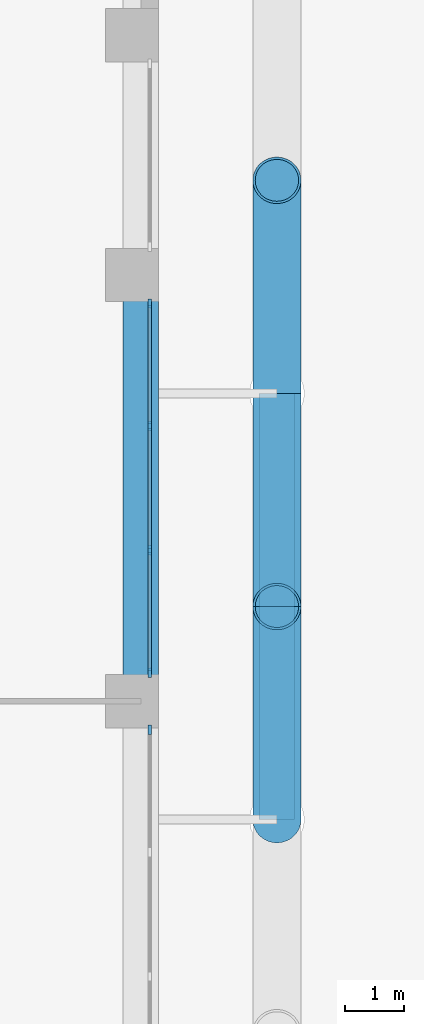
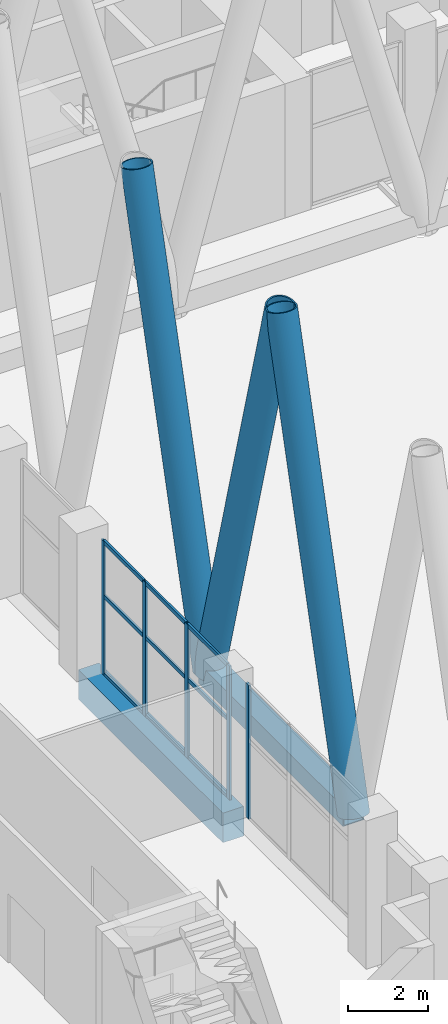
# One storey, part 3 of 31: 18 members, 1 beam, 2 elements without a shape of their own.
"""IFC4 building model written with IfcOpenShell, lengths in metres."""

from ifc_helpers import new_model, si_unit, direction, frame, origin, origin_2d, place, context, subcontext, project, spatial, rectangle, hollow_rectangle, hollow_circle, extrude, material, material_profile, profile_set, type_object, element, aggregate, save


model = new_model("IFC4")

# Units and contexts
model_context = context("Model", 3, precision=1e-05, world=origin(), true_north=direction((0.0, 1.0)))
body_context = subcontext(model_context, "Body", "Model", "MODEL_VIEW")
ifc_project = project(units=[si_unit("LENGTHUNIT", "METRE"), si_unit("AREAUNIT", "SQUARE_METRE"), si_unit("VOLUMEUNIT", "CUBIC_METRE"), si_unit("PLANEANGLEUNIT", "RADIAN"), si_unit("MASSUNIT", "GRAM", prefix="KILO")], contexts=[model_context])

# Site, building, storey
site_placement = place(None, origin())
site = spatial("IfcSite", under=ifc_project, at=site_placement, CompositionType="ELEMENT")
building_placement = place(site_placement, origin())
building = spatial("IfcBuilding", under=site, at=building_placement, Name="Fustian Cross Tower", CompositionType="ELEMENT")
storey_placement = place(building_placement, frame((0.0, 0.0, 7.199951171875)))
storey = spatial("IfcBuildingStorey", under=building, at=storey_placement, Name="L01", CompositionType="ELEMENT", Elevation=7.199951171875)

# Curtain wall, member
ifc_material_1 = material(Name="Glass", Category="glass")
curtain_wall_type = type_object("IfcCurtainWallType", Name="CW4 CURTAIN WALL", PredefinedType="NOTDEFINED", material=ifc_material_1)
curtain_wall_1_placement = place(storey_placement, origin())
curtain_wall_1 = element("IfcCurtainWall", 1, at=curtain_wall_1_placement, inside=storey, type_object=curtain_wall_type, Name="Curtain wall CW4", PredefinedType="NOTDEFINED")
ifc_material_2 = material(Name="Aluminium alloy 6063", Category="aluminium")
ifc_material_profile_1 = material_profile(ifc_material_2, rectangle(XDim=0.06005859375, YDim=0.159912109375, at=origin_2d()), Name="CW4 MULLION 60x160")
ifc_profile_set_1 = profile_set([ifc_material_profile_1], Name="Aluminium alloy 6063")
member_type_1 = type_object("IfcMemberType", Name="CW4 MULLION 60x160", PredefinedType="MULLION", material=ifc_profile_set_1)
member_1_placement = place(storey_placement, frame((7.050048828125, -29.280029296875, 0.0), z_axis=(0.0, 0.0, 1.0), x_axis=(-1.0, 0.0, 0.0)))
member_1 = element("IfcMember", 2, at=member_1_placement, type_object=member_type_1, Name="CW4 mullion 4", PredefinedType="MULLION", context=body_context, shape_type="SweptSolid", body=[
    extrude(rectangle(XDim=0.06005859375, YDim=0.159912109375, at=origin_2d()), origin(), (0.0, 0.0, 1.0), 4.074951171875),
])
aggregate(curtain_wall_1, [member_1])

# Curtain wall, members
curtain_wall_2_placement = place(storey_placement, origin())
curtain_wall_2 = element("IfcCurtainWall", 3, at=curtain_wall_2_placement, inside=storey, type_object=curtain_wall_type, Name="Curtain wall CW4", PredefinedType="NOTDEFINED")
member_2_placement = place(storey_placement, frame((7.050048828125, -28.320068359375, 0.0), z_axis=(0.0, 0.0, 1.0), x_axis=(-1.0, 0.0, 0.0)))
member_2 = element("IfcMember", 4, at=member_2_placement, type_object=member_type_1, Name="CW4 mullion 1", PredefinedType="MULLION", context=body_context, shape_type="SweptSolid", body=[
    extrude(rectangle(XDim=0.06005859375, YDim=0.159912109375, at=origin_2d()), origin(), (0.0, 0.0, 1.0), 4.074951171875),
])
member_3_placement = place(storey_placement, frame((7.050048828125, -26.25, 0.0), z_axis=(0.0, 0.0, 1.0), x_axis=(-1.0, 0.0, 0.0)))
member_3 = element("IfcMember", 5, at=member_3_placement, type_object=member_type_1, Name="CW4 mullion 2", PredefinedType="MULLION", context=body_context, shape_type="SweptSolid", body=[
    extrude(rectangle(XDim=0.06005859375, YDim=0.159912109375, at=origin_2d()), origin(), (0.0, 0.0, 1.0), 4.074951171875),
])
member_4_placement = place(storey_placement, frame((7.050048828125, -24.14990234375, 0.0), z_axis=(0.0, 0.0, 1.0), x_axis=(-1.0, 0.0, 0.0)))
member_4 = element("IfcMember", 6, at=member_4_placement, type_object=member_type_1, Name="CW4 mullion 3", PredefinedType="MULLION", context=body_context, shape_type="SweptSolid", body=[
    extrude(rectangle(XDim=0.06005859375, YDim=0.159912109375, at=origin_2d()), origin(), (0.0, 0.0, 1.0), 4.074951171875),
])
member_5_placement = place(storey_placement, frame((7.050048828125, -22.080078125, 0.0), z_axis=(0.0, 0.0, 1.0), x_axis=(-1.0, 0.0, 0.0)))
member_5 = element("IfcMember", 7, at=member_5_placement, type_object=member_type_1, Name="CW4 mullion 4", PredefinedType="MULLION", context=body_context, shape_type="SweptSolid", body=[
    extrude(rectangle(XDim=0.06005859375, YDim=0.159912109375, at=origin_2d()), origin(), (0.0, 0.0, 1.0), 4.074951171875),
])
ifc_material_3 = material(Name="Aluminium alloy 6063", Category="aluminium")
ifc_material_profile_2 = material_profile(ifc_material_3, rectangle(XDim=0.06005859375, YDim=0.1201171875, at=origin_2d()), Name="CW4 TRANSOM 60x120")
ifc_profile_set_2 = profile_set([ifc_material_profile_2], Name="Aluminium alloy 6063")
member_type_2 = type_object("IfcMemberType", Name="CW4 TRANSOM 60x120", PredefinedType="USERDEFINED", material=ifc_profile_set_2)
member_6_placement = place(storey_placement, frame((7.050048828125, -28.2900390625, 0.030029296875), z_axis=(0.0, 1.0, 0.0), x_axis=(-1.0, 0.0, 0.0)))
member_6 = element("IfcMember", 8, at=member_6_placement, type_object=member_type_2, Name="CW4 transom 1.1", ObjectType="TRANSOM", PredefinedType="USERDEFINED", context=body_context, shape_type="SweptSolid", body=[
    extrude(rectangle(XDim=0.06005859375, YDim=0.1201171875, at=origin_2d()), origin(), (0.0, 0.0, 1.0), 2.010009765625),
])
member_7_placement = place(storey_placement, frame((7.050048828125, -28.2900390625, 2.400146484375), z_axis=(0.0, 1.0, 0.0), x_axis=(-1.0, 0.0, 0.0)))
member_7 = element("IfcMember", 9, at=member_7_placement, type_object=member_type_2, Name="CW4 transom 1.2", ObjectType="TRANSOM", PredefinedType="USERDEFINED", context=body_context, shape_type="SweptSolid", body=[
    extrude(rectangle(XDim=0.06005859375, YDim=0.1201171875, at=origin_2d()), origin(), (0.0, 0.0, 1.0), 2.010009765625),
])
member_8_placement = place(storey_placement, frame((7.050048828125, -28.2900390625, 4.045166015625), z_axis=(0.0, 1.0, 0.0), x_axis=(-1.0, 0.0, 0.0)))
member_8 = element("IfcMember", 10, at=member_8_placement, type_object=member_type_2, Name="CW4 transom 1.3", ObjectType="TRANSOM", PredefinedType="USERDEFINED", context=body_context, shape_type="SweptSolid", body=[
    extrude(rectangle(XDim=0.06005859375, YDim=0.1201171875, at=origin_2d()), origin(), (0.0, 0.0, 1.0), 2.010009765625),
])
member_9_placement = place(storey_placement, frame((7.050048828125, -26.219970703125, 0.030029296875), z_axis=(0.0, 1.0, 0.0), x_axis=(-1.0, 0.0, 0.0)))
member_9 = element("IfcMember", 11, at=member_9_placement, type_object=member_type_2, Name="CW4 transom 2.1", ObjectType="TRANSOM", PredefinedType="USERDEFINED", context=body_context, shape_type="SweptSolid", body=[
    extrude(rectangle(XDim=0.06005859375, YDim=0.1201171875, at=origin_2d()), origin(), (0.0, 0.0, 1.0), 2.0400390625),
])
member_10_placement = place(storey_placement, frame((7.050048828125, -26.219970703125, 2.400146484375), z_axis=(0.0, 1.0, 0.0), x_axis=(-1.0, 0.0, 0.0)))
member_10 = element("IfcMember", 12, at=member_10_placement, type_object=member_type_2, Name="CW4 transom 2.2", ObjectType="TRANSOM", PredefinedType="USERDEFINED", context=body_context, shape_type="SweptSolid", body=[
    extrude(rectangle(XDim=0.06005859375, YDim=0.1201171875, at=origin_2d()), origin(), (0.0, 0.0, 1.0), 2.0400390625),
])
member_11_placement = place(storey_placement, frame((7.050048828125, -26.219970703125, 4.045166015625), z_axis=(0.0, 1.0, 0.0), x_axis=(-1.0, 0.0, 0.0)))
member_11 = element("IfcMember", 13, at=member_11_placement, type_object=member_type_2, Name="CW4 transom 2.3", ObjectType="TRANSOM", PredefinedType="USERDEFINED", context=body_context, shape_type="SweptSolid", body=[
    extrude(rectangle(XDim=0.06005859375, YDim=0.1201171875, at=origin_2d()), origin(), (0.0, 0.0, 1.0), 2.0400390625),
])
member_12_placement = place(storey_placement, frame((7.050048828125, -24.1201171875, 0.030029296875), z_axis=(0.0, 1.0, 0.0), x_axis=(-1.0, 0.0, 0.0)))
member_12 = element("IfcMember", 14, at=member_12_placement, type_object=member_type_2, Name="CW4 transom 3.1", ObjectType="TRANSOM", PredefinedType="USERDEFINED", context=body_context, shape_type="SweptSolid", body=[
    extrude(rectangle(XDim=0.06005859375, YDim=0.1201171875, at=origin_2d()), origin(), (0.0, 0.0, 1.0), 2.010009765625),
])
member_13_placement = place(storey_placement, frame((7.050048828125, -24.1201171875, 2.400146484375), z_axis=(0.0, 1.0, 0.0), x_axis=(-1.0, 0.0, 0.0)))
member_13 = element("IfcMember", 15, at=member_13_placement, type_object=member_type_2, Name="CW4 transom 3.2", ObjectType="TRANSOM", PredefinedType="USERDEFINED", context=body_context, shape_type="SweptSolid", body=[
    extrude(rectangle(XDim=0.06005859375, YDim=0.1201171875, at=origin_2d()), origin(), (0.0, 0.0, 1.0), 2.010009765625),
])
member_14_placement = place(storey_placement, frame((7.050048828125, -24.1201171875, 4.045166015625), z_axis=(0.0, 1.0, 0.0), x_axis=(-1.0, 0.0, 0.0)))
member_14 = element("IfcMember", 16, at=member_14_placement, type_object=member_type_2, Name="CW4 transom 3.3", ObjectType="TRANSOM", PredefinedType="USERDEFINED", context=body_context, shape_type="SweptSolid", body=[
    extrude(rectangle(XDim=0.06005859375, YDim=0.1201171875, at=origin_2d()), origin(), (0.0, 0.0, 1.0), 2.010009765625),
])
aggregate(curtain_wall_2, [member_2, member_3, member_4, member_5, member_6, member_7, member_8, member_9, member_10, member_11, member_12, member_13, member_14])

# Members
ifc_material_4 = material(Name="Steel S355", Category="steel")
ifc_material_profile_3 = material_profile(ifc_material_4, hollow_circle(Radius=0.406494140625, WallThickness=0.0400390625, at=origin_2d()), Name="CHS 813x40")
ifc_profile_set_3 = profile_set([ifc_material_profile_3], Name="Steel S355")
member_type_3 = type_object("IfcMemberType", Name="DIAGRID DIAGONAL CHS 813x40", PredefinedType="BRACE", material=ifc_profile_set_3)
for number, where, z_axis, x_axis, name in (
    (17, (9.199951171875, -30.800048828125, 0.300048828125), (0.0, 0.263124955092, 0.964761762306), (-1.0, 0.0, 0.0), "Diagrid diagonal S-E 05"),
    (18, (9.199951171875, -23.60009765625, 0.300048828125), (0.0, -0.263108346568, 0.964766291889), (1.0, 0.0, 0.0), "Diagrid diagonal S-E 06"),
    (19, (9.199951171875, -23.60009765625, 0.300048828125), (0.0, 0.263124955092, 0.964761762306), (-1.0, 0.0, 0.0), "Diagrid diagonal S-E 07"),
):
    element("IfcMember", number, at=place(storey_placement, frame(where, z_axis=z_axis, x_axis=x_axis)), inside=storey, type_object=member_type_3, Name=name, PredefinedType="BRACE", context=body_context, shape_type="SweptSolid", body=[
        extrude(hollow_circle(Radius=0.406494140625, WallThickness=0.0400390625, at=origin_2d()), origin(), (0.0, 0.0, 1.0), 13.68212890625),
    ])
ifc_material_5 = material(Name="Steel S355", Category="steel")
ifc_material_profile_4 = material_profile(ifc_material_5, hollow_rectangle(XDim=0.60009765625, YDim=0.60009765625, WallThickness=0.030029296875, at=origin_2d()), Name="RHS 600x600x30")
ifc_profile_set_4 = profile_set([ifc_material_profile_4], Name="Steel S355")
member_type_4 = type_object("IfcMemberType", Name="DIAGRID RING RHS 600x600x30", PredefinedType="MEMBER", material=ifc_profile_set_4)
member_15_placement = place(storey_placement, frame((9.199951171875, -30.800048828125, 0.300048828125), z_axis=(0.0, 1.0, 0.0), x_axis=(-1.0, 0.0, 0.0)))
element("IfcMember", 20, at=member_15_placement, inside=storey, type_object=member_type_4, Name="Diagrid ring L01-41 L01-42", PredefinedType="MEMBER", context=body_context, shape_type="SweptSolid", body=[
    extrude(hollow_rectangle(XDim=0.60009765625, YDim=0.60009765625, WallThickness=0.030029296875, at=origin_2d()), origin(), (0.0, 0.0, 1.0), 7.199951171875),
])

# Beam
ifc_material_6 = material(Name="Concrete C50/60", Category="concrete")
ifc_material_profile_5 = material_profile(ifc_material_6, rectangle(XDim=0.60009765625, YDim=0.89990234375, at=origin_2d()), Name="RC 600x900")
ifc_profile_set_5 = profile_set([ifc_material_profile_5], Name="Concrete C50/60")
beam_type = type_object("IfcBeamType", Name="EDGE BEAM RC 600x900 C50/60", PredefinedType="SPANDREL", material=ifc_profile_set_5)
beam_placement = place(storey_placement, frame((6.89990234375, -28.800048828125, -0.449951171875), z_axis=(0.0, 1.0, 0.0), x_axis=(-1.0, 0.0, 0.0)))
element("IfcBeam", 21, at=beam_placement, inside=storey, type_object=beam_type, Name="EDGE BEAM L01-41", PredefinedType="SPANDREL", context=body_context, shape_type="SweptSolid", body=[
    extrude(rectangle(XDim=0.60009765625, YDim=0.89990234375, at=origin_2d()), origin(), (0.0, 0.0, 1.0), 7.199951171875),
])

save(model, "model.ifc")
